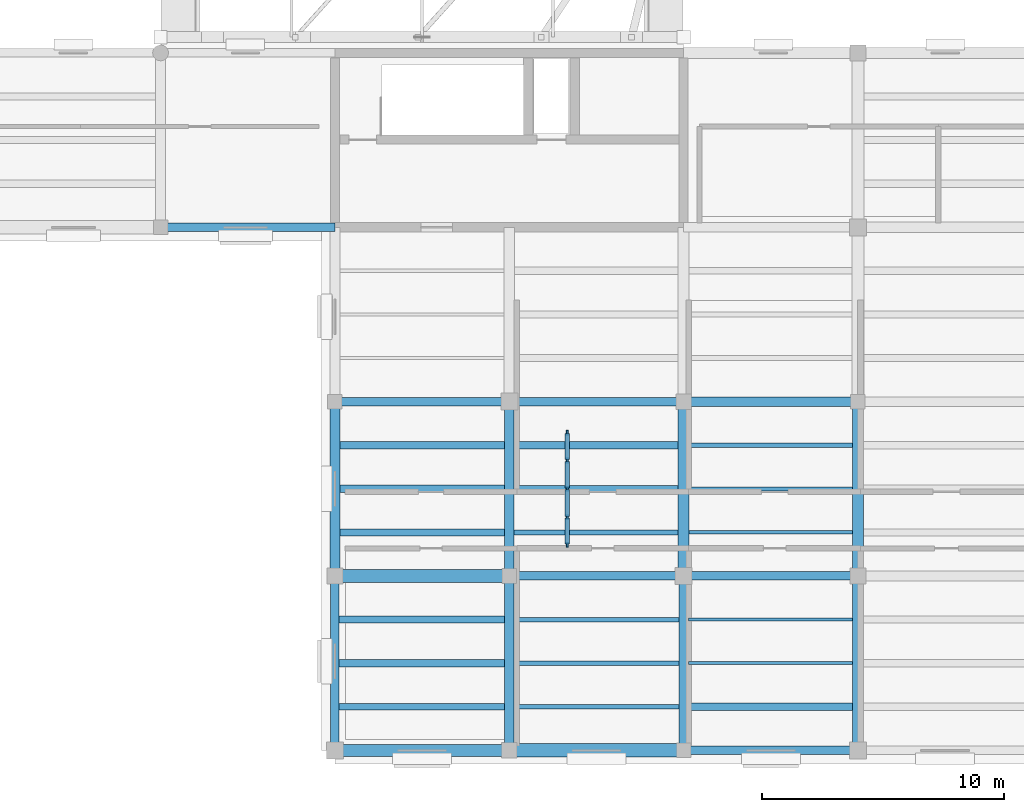
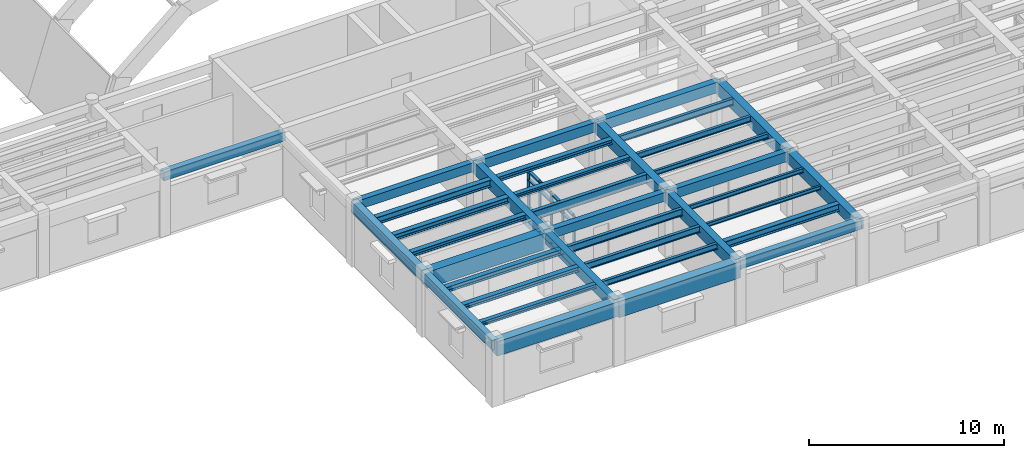
# One storey, part 6 of 66: 36 beams, 21 members, 1 element without a shape of its own.
"""IFC4 building model written with IfcOpenShell, lengths in metres."""

from ifc_helpers import new_model, si_unit, direction, frame, origin, origin_2d, place, context, subcontext, project, spatial, rectangle, i_section, extrude, material, material_profile, profile_set, type_object, element, aggregate, save


model = new_model("IFC4")

# Units and contexts
model_context = context("Model", 3, precision=1e-05, world=origin(), true_north=direction((0.0, 1.0)))
body_context = subcontext(model_context, "Body", "Model", "MODEL_VIEW")
ifc_project = project(units=[si_unit("LENGTHUNIT", "METRE"), si_unit("AREAUNIT", "SQUARE_METRE"), si_unit("VOLUMEUNIT", "CUBIC_METRE"), si_unit("PLANEANGLEUNIT", "RADIAN"), si_unit("MASSUNIT", "GRAM", prefix="KILO")], contexts=[model_context])

# Site, building, storey
site_placement = place(None, origin())
site = spatial("IfcSite", under=ifc_project, at=site_placement, CompositionType="ELEMENT")
building_placement = place(site_placement, origin())
building = spatial("IfcBuilding", under=site, at=building_placement, Name="Mithqara Police Headquarters", CompositionType="ELEMENT")
storey_placement = place(building_placement, frame((0.0, 0.0, 9.60009765625)))
storey = spatial("IfcBuildingStorey", under=building, at=storey_placement, Name="L02", CompositionType="ELEMENT", Elevation=9.60009765625)

# Beams
ifc_material_1 = material(Name="Steel S355JR", Category="steel")
ifc_material_profile_1 = material_profile(ifc_material_1, i_section(OverallWidth=0.300048828125, OverallDepth=0.300048828125, WebThickness=0.010986328125, FlangeThickness=0.01904296875, FilletRadius=0.027099609375, at=origin_2d()), Name="HEB 300")
ifc_profile_set_1 = profile_set([ifc_material_profile_1], Name="Steel S355JR")
beam_type_1 = type_object("IfcBeamType", Name="BEAM HEB300", PredefinedType="BEAM", material=ifc_profile_set_1)
beam_1_placement = place(storey_placement, frame((80.0, 15.60009765625, 3.789794921875), z_axis=(1.0, 0.0, 0.0), x_axis=(0.0, 1.0, 0.0)))
element("IfcBeam", 1, at=beam_1_placement, inside=storey, type_object=beam_type_1, Name="L02 Composite Steel Joist 12-13/C.1", PredefinedType="BEAM", context=body_context, shape_type="SweptSolid", body=[
    extrude(i_section(OverallWidth=0.300048828125, OverallDepth=0.300048828125, WebThickness=0.010986328125, FlangeThickness=0.01904296875, FilletRadius=0.027099609375, at=origin_2d()), origin(), (0.0, 0.0, 1.0), 6.800048828125),
])
ifc_material_profile_2 = material_profile(ifc_material_1, i_section(OverallWidth=0.300048828125, OverallDepth=0.360107421875, WebThickness=0.012451171875, FlangeThickness=0.0224609375, FilletRadius=0.027099609375, at=origin_2d()), Name="HEB 360")
ifc_profile_set_2 = profile_set([ifc_material_profile_2], Name="Steel S355JR")
beam_type_2 = type_object("IfcBeamType", Name="BEAM HEB360", PredefinedType="BEAM", material=ifc_profile_set_2)
beam_2_placement = place(storey_placement, frame((80.0, 17.39990234375, 3.760009765625), z_axis=(1.0, 0.0, 0.0), x_axis=(0.0, 1.0, 0.0)))
element("IfcBeam", 2, at=beam_2_placement, inside=storey, type_object=beam_type_2, Name="L02 Composite Steel Joist 12-13/C.2", PredefinedType="BEAM", context=body_context, shape_type="SweptSolid", body=[
    extrude(i_section(OverallWidth=0.300048828125, OverallDepth=0.360107421875, WebThickness=0.012451171875, FlangeThickness=0.0224609375, FilletRadius=0.027099609375, at=origin_2d()), origin(), (0.0, 0.0, 1.0), 6.800048828125),
])
ifc_material_profile_3 = material_profile(ifc_material_1, i_section(OverallWidth=0.300048828125, OverallDepth=0.449951171875, WebThickness=0.013916015625, FlangeThickness=0.02587890625, FilletRadius=0.027099609375, at=origin_2d()), Name="HEB 450")
ifc_profile_set_3 = profile_set([ifc_material_profile_3], Name="Steel S355JR")
beam_type_3 = type_object("IfcBeamType", Name="BEAM HEB450", PredefinedType="BEAM", material=ifc_profile_set_3)
beam_3_placement = place(storey_placement, frame((80.0, 19.199951171875, 3.71484375), z_axis=(1.0, 0.0, 0.0), x_axis=(0.0, 1.0, 0.0)))
element("IfcBeam", 3, at=beam_3_placement, inside=storey, type_object=beam_type_3, Name="L02 Composite Steel Joist 12-13/C.3", PredefinedType="BEAM", context=body_context, shape_type="SweptSolid", body=[
    extrude(i_section(OverallWidth=0.300048828125, OverallDepth=0.449951171875, WebThickness=0.013916015625, FlangeThickness=0.02587890625, FilletRadius=0.027099609375, at=origin_2d()), origin(), (0.0, 0.0, 1.0), 6.800048828125),
])
beam_4_placement = place(storey_placement, frame((94.39990234375, 8.39990234375, 3.71484375), z_axis=(1.0, 0.0, 0.0), x_axis=(0.0, 1.0, 0.0)))
element("IfcBeam", 4, at=beam_4_placement, inside=storey, type_object=beam_type_3, Name="L02 Composite Steel Joist 14-15/B.1", PredefinedType="BEAM", context=body_context, shape_type="SweptSolid", body=[
    extrude(i_section(OverallWidth=0.300048828125, OverallDepth=0.449951171875, WebThickness=0.013916015625, FlangeThickness=0.02587890625, FilletRadius=0.027099609375, at=origin_2d()), origin(), (0.0, 0.0, 1.0), 6.775146484375),
])
ifc_material_2 = material(Name="Concrete C40/50", Category="concrete")
ifc_material_profile_4 = material_profile(ifc_material_2, rectangle(XDim=0.35009765625, YDim=0.550048828125, at=origin_2d()), Name="RC 350x550")
ifc_profile_set_4 = profile_set([ifc_material_profile_4], Name="Concrete C40/50")
beam_type_4 = type_object("IfcBeamType", Name="BEAM RC350X550", PredefinedType="BEAM", material=ifc_profile_set_4)
for number, where, z_axis, x_axis, name in (
    (5, (72.60009765625, 28.199951171875, 3.664794921875), (1.0, 0.0, 0.0), (0.0, 1.0, 0.0), "L02 Girder 11-12/E"),
    (6, (79.800048828125, 21.0, 3.664794921875), (1.0, 0.0, 0.0), (0.0, 1.0, 0.0), "L02 Girder 12-13/D"),
    (7, (87.0, 13.800048828125, 3.664794921875), (1.0, 0.0, 0.0), (0.0, 1.0, 0.0), "L02 Girder 13-14/C"),
    (8, (94.199951171875, 6.60009765625, 3.664794921875), (1.0, 0.0, 0.0), (0.0, 1.0, 0.0), "L02 Girder 14-15/B"),
):
    element("IfcBeam", number, at=place(storey_placement, frame(where, z_axis=z_axis, x_axis=x_axis)), inside=storey, type_object=beam_type_4, Name=name, PredefinedType="BEAM", context=body_context, shape_type="SweptSolid", body=[
        extrude(rectangle(XDim=0.35009765625, YDim=0.550048828125, at=origin_2d()), origin(), (0.0, 0.0, 1.0), 7.199951171875),
    ])
ifc_material_profile_5 = material_profile(ifc_material_2, rectangle(XDim=0.35009765625, YDim=0.60009765625, at=origin_2d()), Name="RC 350x600")
ifc_profile_set_5 = profile_set([ifc_material_profile_5], Name="Concrete C40/50")
beam_type_5 = type_object("IfcBeamType", Name="BEAM RC350X600", PredefinedType="BEAM", material=ifc_profile_set_5)
for number, where, z_axis, x_axis, name in (
    (9, (79.800048828125, 6.60009765625, 3.639892578125), (0.0, 1.0, 0.0), (-1.0, 0.0, 0.0), "L02 Girder 12/B-C"),
    (10, (87.0, 21.0, 3.639892578125), (1.0, 0.0, 0.0), (0.0, 1.0, 0.0), "L02 Girder 13-14/D"),
    (11, (94.199951171875, 13.800048828125, 3.639892578125), (1.0, 0.0, 0.0), (0.0, 1.0, 0.0), "L02 Girder 14-15/C"),
):
    element("IfcBeam", number, at=place(storey_placement, frame(where, z_axis=z_axis, x_axis=x_axis)), inside=storey, type_object=beam_type_5, Name=name, PredefinedType="BEAM", context=body_context, shape_type="SweptSolid", body=[
        extrude(rectangle(XDim=0.35009765625, YDim=0.60009765625, at=origin_2d()), origin(), (0.0, 0.0, 1.0), 7.199951171875),
    ])
ifc_material_profile_6 = material_profile(ifc_material_2, rectangle(XDim=0.39990234375, YDim=0.64990234375, at=origin_2d()), Name="RC 400x650")
ifc_profile_set_6 = profile_set([ifc_material_profile_6], Name="Concrete C40/50")
beam_type_6 = type_object("IfcBeamType", Name="BEAM RC400X650", PredefinedType="BEAM", material=ifc_profile_set_6)
for number, where, z_axis, x_axis, name in (
    (12, (79.800048828125, 13.800048828125, 3.614990234375), (0.0, 1.0, 0.0), (-1.0, 0.0, 0.0), "L02 Girder 12/C-D"),
    (13, (87.0, 6.60009765625, 3.614990234375), (0.0, 1.0, 0.0), (-1.0, 0.0, 0.0), "L02 Girder 13/B-C"),
    (14, (94.199951171875, 21.0, 3.614990234375), (1.0, 0.0, 0.0), (0.0, 1.0, 0.0), "L02 Girder 14-15/D"),
):
    element("IfcBeam", number, at=place(storey_placement, frame(where, z_axis=z_axis, x_axis=x_axis)), inside=storey, type_object=beam_type_6, Name=name, PredefinedType="BEAM", context=body_context, shape_type="SweptSolid", body=[
        extrude(rectangle(XDim=0.39990234375, YDim=0.64990234375, at=origin_2d()), origin(), (0.0, 0.0, 1.0), 7.199951171875),
    ])
ifc_material_profile_7 = material_profile(ifc_material_2, rectangle(XDim=0.39990234375, YDim=0.75, at=origin_2d()), Name="RC 400x750")
ifc_profile_set_7 = profile_set([ifc_material_profile_7], Name="Concrete C40/50")
beam_type_7 = type_object("IfcBeamType", Name="BEAM RC400X750", PredefinedType="BEAM", material=ifc_profile_set_7)
for number, where, z_axis, x_axis, name in (
    (15, (87.0, 13.800048828125, 3.56494140625), (0.0, 1.0, 0.0), (-1.0, 0.0, 0.0), "L02 Girder 13/C-D"),
    (16, (94.199951171875, 6.60009765625, 3.56494140625), (0.0, 1.0, 0.0), (-1.0, 0.0, 0.0), "L02 Girder 14/B-C"),
):
    element("IfcBeam", number, at=place(storey_placement, frame(where, z_axis=z_axis, x_axis=x_axis)), inside=storey, type_object=beam_type_7, Name=name, PredefinedType="BEAM", context=body_context, shape_type="SweptSolid", body=[
        extrude(rectangle(XDim=0.39990234375, YDim=0.75, at=origin_2d()), origin(), (0.0, 0.0, 1.0), 7.199951171875),
    ])
ifc_material_profile_8 = material_profile(ifc_material_2, rectangle(XDim=0.449951171875, YDim=0.699951171875, at=origin_2d()), Name="RC 450x700")
ifc_profile_set_8 = profile_set([ifc_material_profile_8], Name="Concrete C40/50")
beam_type_8 = type_object("IfcBeamType", Name="BEAM RC450X700", PredefinedType="BEAM", material=ifc_profile_set_8)
for number, where, z_axis, x_axis, name in (
    (17, (94.199951171875, 13.800048828125, 3.58984375), (0.0, 1.0, 0.0), (-1.0, 0.0, 0.0), "L02 Girder 14/C-D"),
    (18, (101.39990234375, 6.60009765625, 3.58984375), (0.0, 1.0, 0.0), (-1.0, 0.0, 0.0), "L02 Girder 15/B-C"),
):
    element("IfcBeam", number, at=place(storey_placement, frame(where, z_axis=z_axis, x_axis=x_axis)), inside=storey, type_object=beam_type_8, Name=name, PredefinedType="BEAM", context=body_context, shape_type="SweptSolid", body=[
        extrude(rectangle(XDim=0.449951171875, YDim=0.699951171875, at=origin_2d()), origin(), (0.0, 0.0, 1.0), 7.199951171875),
    ])
ifc_material_profile_9 = material_profile(ifc_material_2, rectangle(XDim=0.449951171875, YDim=0.800048828125, at=origin_2d()), Name="RC 450x800")
ifc_profile_set_9 = profile_set([ifc_material_profile_9], Name="Concrete C40/50")
beam_type_9 = type_object("IfcBeamType", Name="BEAM RC450X800", PredefinedType="BEAM", material=ifc_profile_set_9)
beam_5_placement = place(storey_placement, frame((101.39990234375, 13.800048828125, 3.539794921875), z_axis=(0.0, 1.0, 0.0), x_axis=(-1.0, 0.0, 0.0)))
element("IfcBeam", 19, at=beam_5_placement, inside=storey, type_object=beam_type_9, Name="L02 Girder 15/C-D", PredefinedType="BEAM", context=body_context, shape_type="SweptSolid", body=[
    extrude(rectangle(XDim=0.449951171875, YDim=0.800048828125, at=origin_2d()), origin(), (0.0, 0.0, 1.0), 7.199951171875),
])
ifc_material_3 = material(Name="Concrete C50/60", Category="concrete")
ifc_material_profile_10 = material_profile(ifc_material_3, rectangle(XDim=0.5, YDim=0.89990234375, at=origin_2d()), Name="RC 500x900")
ifc_profile_set_10 = profile_set([ifc_material_profile_10], Name="Concrete C50/60")
beam_type_10 = type_object("IfcBeamType", Name="BEAM RC500X900", PredefinedType="BEAM", material=ifc_profile_set_10)
beam_6_placement = place(storey_placement, frame((79.800048828125, 6.60009765625, 3.489990234375), z_axis=(1.0, 0.0, 0.0), x_axis=(0.0, 1.0, 0.0)))
element("IfcBeam", 20, at=beam_6_placement, inside=storey, type_object=beam_type_10, Name="L02 Girder 12-13/B", PredefinedType="BEAM", context=body_context, shape_type="SweptSolid", body=[
    extrude(rectangle(XDim=0.5, YDim=0.89990234375, at=origin_2d()), origin(), (0.0, 0.0, 1.0), 7.199951171875),
])
ifc_material_profile_11 = material_profile(ifc_material_3, rectangle(XDim=0.550048828125, YDim=1.0, at=origin_2d()), Name="RC 550x1000")
ifc_profile_set_11 = profile_set([ifc_material_profile_11], Name="Concrete C50/60")
beam_type_11 = type_object("IfcBeamType", Name="BEAM RC550X1000", PredefinedType="BEAM", material=ifc_profile_set_11)
for number, where, z_axis, x_axis, name in (
    (21, (79.800048828125, 13.800048828125, 3.43994140625), (1.0, 0.0, 0.0), (0.0, 1.0, 0.0), "L02 Girder 12-13/C"),
    (22, (87.0, 6.60009765625, 3.43994140625), (1.0, 0.0, 0.0), (0.0, 1.0, 0.0), "L02 Girder 13-14/B"),
):
    element("IfcBeam", number, at=place(storey_placement, frame(where, z_axis=z_axis, x_axis=x_axis)), inside=storey, type_object=beam_type_11, Name=name, PredefinedType="BEAM", context=body_context, shape_type="SweptSolid", body=[
        extrude(rectangle(XDim=0.550048828125, YDim=1.0, at=origin_2d()), origin(), (0.0, 0.0, 1.0), 7.199951171875),
    ])

# Curtain wall, members
ifc_material_4 = material(Name="Bronze anodised aluminium 6063-T6", Category="aluminium")
curtain_wall_type = type_object("IfcCurtainWallType", Name="CURTAIN WALL 4700X3220", PredefinedType="USERDEFINED", material=ifc_material_4)
curtain_wall_placement = place(storey_placement, origin())
curtain_wall = element("IfcCurtainWall", 23, at=curtain_wall_placement, inside=storey, type_object=curtain_wall_type, Name="L02 Unitised Glazing CW-16 (CW-INT-L02-X12-Y02-0)", ObjectType="UNITISED GLAZING", PredefinedType="USERDEFINED")
ifc_material_profile_12 = material_profile(ifc_material_4, rectangle(XDim=0.074951171875, YDim=0.219970703125, at=origin_2d()), Name="CWM 75x220")
ifc_profile_set_12 = profile_set([ifc_material_profile_12], Name="Bronze anodised aluminium 6063-T6")
member_type_1 = type_object("IfcMemberType", Name="CWMULLION 75X220", PredefinedType="MULLION", material=ifc_profile_set_12)
member_1_placement = place(storey_placement, frame((89.39990234375, 15.08740234375, 0.0), z_axis=(0.0, 0.0, 1.0), x_axis=(-1.0, 0.0, 0.0)))
member_1 = element("IfcMember", 24, at=member_1_placement, type_object=member_type_1, Name="CW-16 mullion 1", PredefinedType="MULLION", context=body_context, shape_type="SweptSolid", body=[
    extrude(rectangle(XDim=0.074951171875, YDim=0.219970703125, at=origin_2d()), origin(), (0.0, 0.0, 1.0), 3.219970703125),
])
member_2_placement = place(storey_placement, frame((89.39990234375, 16.22509765625, 0.0), z_axis=(0.0, 0.0, 1.0), x_axis=(-1.0, 0.0, 0.0)))
member_2 = element("IfcMember", 25, at=member_2_placement, type_object=member_type_1, Name="CW-16 mullion 2", PredefinedType="MULLION", context=body_context, shape_type="SweptSolid", body=[
    extrude(rectangle(XDim=0.074951171875, YDim=0.219970703125, at=origin_2d()), origin(), (0.0, 0.0, 1.0), 3.219970703125),
])
member_3_placement = place(storey_placement, frame((89.39990234375, 17.39990234375, 0.0), z_axis=(0.0, 0.0, 1.0), x_axis=(-1.0, 0.0, 0.0)))
member_3 = element("IfcMember", 26, at=member_3_placement, type_object=member_type_1, Name="CW-16 mullion 3", PredefinedType="MULLION", context=body_context, shape_type="SweptSolid", body=[
    extrude(rectangle(XDim=0.074951171875, YDim=0.219970703125, at=origin_2d()), origin(), (0.0, 0.0, 1.0), 3.219970703125),
])
member_4_placement = place(storey_placement, frame((89.39990234375, 18.574951171875, 0.0), z_axis=(0.0, 0.0, 1.0), x_axis=(-1.0, 0.0, 0.0)))
member_4 = element("IfcMember", 27, at=member_4_placement, type_object=member_type_1, Name="CW-16 mullion 4", PredefinedType="MULLION", context=body_context, shape_type="SweptSolid", body=[
    extrude(rectangle(XDim=0.074951171875, YDim=0.219970703125, at=origin_2d()), origin(), (0.0, 0.0, 1.0), 3.219970703125),
])
member_5_placement = place(storey_placement, frame((89.39990234375, 19.71240234375, 0.0), z_axis=(0.0, 0.0, 1.0), x_axis=(-1.0, 0.0, 0.0)))
member_5 = element("IfcMember", 28, at=member_5_placement, type_object=member_type_1, Name="CW-16 mullion 5", PredefinedType="MULLION", context=body_context, shape_type="SweptSolid", body=[
    extrude(rectangle(XDim=0.074951171875, YDim=0.219970703125, at=origin_2d()), origin(), (0.0, 0.0, 1.0), 3.219970703125),
])
ifc_material_profile_13 = material_profile(ifc_material_4, rectangle(XDim=0.179931640625, YDim=0.074951171875, at=origin_2d()), Name="CWT 180x75")
ifc_profile_set_13 = profile_set([ifc_material_profile_13], Name="Bronze anodised aluminium 6063-T6")
member_type_2 = type_object("IfcMemberType", Name="CWTRANSOM 180X75", PredefinedType="USERDEFINED", material=ifc_profile_set_13)
member_6_placement = place(storey_placement, frame((89.39990234375, 15.125, 0.037353515625), z_axis=(0.0, 1.0, 0.0), x_axis=(-1.0, 0.0, 0.0)))
member_6 = element("IfcMember", 29, at=member_6_placement, type_object=member_type_2, Name="CW-16 transom 1.1", ObjectType="TRANSOM", PredefinedType="USERDEFINED", context=body_context, shape_type="SweptSolid", body=[
    extrude(rectangle(XDim=0.179931640625, YDim=0.074951171875, at=origin_2d()), origin(), (0.0, 0.0, 1.0), 1.0625),
])
member_7_placement = place(storey_placement, frame((89.39990234375, 15.125, 0.89990234375), z_axis=(0.0, 1.0, 0.0), x_axis=(-1.0, 0.0, 0.0)))
member_7 = element("IfcMember", 30, at=member_7_placement, type_object=member_type_2, Name="CW-16 transom 1.2", ObjectType="TRANSOM", PredefinedType="USERDEFINED", context=body_context, shape_type="SweptSolid", body=[
    extrude(rectangle(XDim=0.179931640625, YDim=0.074951171875, at=origin_2d()), origin(), (0.0, 0.0, 1.0), 1.0625),
])
member_8_placement = place(storey_placement, frame((89.39990234375, 15.125, 2.669921875), z_axis=(0.0, 1.0, 0.0), x_axis=(-1.0, 0.0, 0.0)))
member_8 = element("IfcMember", 31, at=member_8_placement, type_object=member_type_2, Name="CW-16 transom 1.3", ObjectType="TRANSOM", PredefinedType="USERDEFINED", context=body_context, shape_type="SweptSolid", body=[
    extrude(rectangle(XDim=0.179931640625, YDim=0.074951171875, at=origin_2d()), origin(), (0.0, 0.0, 1.0), 1.0625),
])
member_9_placement = place(storey_placement, frame((89.39990234375, 15.125, 3.182373046875), z_axis=(0.0, 1.0, 0.0), x_axis=(-1.0, 0.0, 0.0)))
member_9 = element("IfcMember", 32, at=member_9_placement, type_object=member_type_2, Name="CW-16 transom 1.4", ObjectType="TRANSOM", PredefinedType="USERDEFINED", context=body_context, shape_type="SweptSolid", body=[
    extrude(rectangle(XDim=0.179931640625, YDim=0.074951171875, at=origin_2d()), origin(), (0.0, 0.0, 1.0), 1.0625),
])
member_10_placement = place(storey_placement, frame((89.39990234375, 16.262451171875, 0.037353515625), z_axis=(0.0, 1.0, 0.0), x_axis=(-1.0, 0.0, 0.0)))
member_10 = element("IfcMember", 33, at=member_10_placement, type_object=member_type_2, Name="CW-16 transom 2.1", ObjectType="TRANSOM", PredefinedType="USERDEFINED", context=body_context, shape_type="SweptSolid", body=[
    extrude(rectangle(XDim=0.179931640625, YDim=0.074951171875, at=origin_2d()), origin(), (0.0, 0.0, 1.0), 1.10009765625),
])
member_11_placement = place(storey_placement, frame((89.39990234375, 16.262451171875, 0.89990234375), z_axis=(0.0, 1.0, 0.0), x_axis=(-1.0, 0.0, 0.0)))
member_11 = element("IfcMember", 34, at=member_11_placement, type_object=member_type_2, Name="CW-16 transom 2.2", ObjectType="TRANSOM", PredefinedType="USERDEFINED", context=body_context, shape_type="SweptSolid", body=[
    extrude(rectangle(XDim=0.179931640625, YDim=0.074951171875, at=origin_2d()), origin(), (0.0, 0.0, 1.0), 1.10009765625),
])
member_12_placement = place(storey_placement, frame((89.39990234375, 16.262451171875, 2.669921875), z_axis=(0.0, 1.0, 0.0), x_axis=(-1.0, 0.0, 0.0)))
member_12 = element("IfcMember", 35, at=member_12_placement, type_object=member_type_2, Name="CW-16 transom 2.3", ObjectType="TRANSOM", PredefinedType="USERDEFINED", context=body_context, shape_type="SweptSolid", body=[
    extrude(rectangle(XDim=0.179931640625, YDim=0.074951171875, at=origin_2d()), origin(), (0.0, 0.0, 1.0), 1.10009765625),
])
member_13_placement = place(storey_placement, frame((89.39990234375, 16.262451171875, 3.182373046875), z_axis=(0.0, 1.0, 0.0), x_axis=(-1.0, 0.0, 0.0)))
member_13 = element("IfcMember", 36, at=member_13_placement, type_object=member_type_2, Name="CW-16 transom 2.4", ObjectType="TRANSOM", PredefinedType="USERDEFINED", context=body_context, shape_type="SweptSolid", body=[
    extrude(rectangle(XDim=0.179931640625, YDim=0.074951171875, at=origin_2d()), origin(), (0.0, 0.0, 1.0), 1.10009765625),
])
member_14_placement = place(storey_placement, frame((89.39990234375, 17.4375, 0.037353515625), z_axis=(0.0, 1.0, 0.0), x_axis=(-1.0, 0.0, 0.0)))
member_14 = element("IfcMember", 37, at=member_14_placement, type_object=member_type_2, Name="CW-16 transom 3.1", ObjectType="TRANSOM", PredefinedType="USERDEFINED", context=body_context, shape_type="SweptSolid", body=[
    extrude(rectangle(XDim=0.179931640625, YDim=0.074951171875, at=origin_2d()), origin(), (0.0, 0.0, 1.0), 1.10009765625),
])
member_15_placement = place(storey_placement, frame((89.39990234375, 17.4375, 0.89990234375), z_axis=(0.0, 1.0, 0.0), x_axis=(-1.0, 0.0, 0.0)))
member_15 = element("IfcMember", 38, at=member_15_placement, type_object=member_type_2, Name="CW-16 transom 3.2", ObjectType="TRANSOM", PredefinedType="USERDEFINED", context=body_context, shape_type="SweptSolid", body=[
    extrude(rectangle(XDim=0.179931640625, YDim=0.074951171875, at=origin_2d()), origin(), (0.0, 0.0, 1.0), 1.10009765625),
])
member_16_placement = place(storey_placement, frame((89.39990234375, 17.4375, 2.669921875), z_axis=(0.0, 1.0, 0.0), x_axis=(-1.0, 0.0, 0.0)))
member_16 = element("IfcMember", 39, at=member_16_placement, type_object=member_type_2, Name="CW-16 transom 3.3", ObjectType="TRANSOM", PredefinedType="USERDEFINED", context=body_context, shape_type="SweptSolid", body=[
    extrude(rectangle(XDim=0.179931640625, YDim=0.074951171875, at=origin_2d()), origin(), (0.0, 0.0, 1.0), 1.10009765625),
])
member_17_placement = place(storey_placement, frame((89.39990234375, 17.4375, 3.182373046875), z_axis=(0.0, 1.0, 0.0), x_axis=(-1.0, 0.0, 0.0)))
member_17 = element("IfcMember", 40, at=member_17_placement, type_object=member_type_2, Name="CW-16 transom 3.4", ObjectType="TRANSOM", PredefinedType="USERDEFINED", context=body_context, shape_type="SweptSolid", body=[
    extrude(rectangle(XDim=0.179931640625, YDim=0.074951171875, at=origin_2d()), origin(), (0.0, 0.0, 1.0), 1.10009765625),
])
member_18_placement = place(storey_placement, frame((89.39990234375, 18.612548828125, 0.037353515625), z_axis=(0.0, 1.0, 0.0), x_axis=(-1.0, 0.0, 0.0)))
member_18 = element("IfcMember", 41, at=member_18_placement, type_object=member_type_2, Name="CW-16 transom 4.1", ObjectType="TRANSOM", PredefinedType="USERDEFINED", context=body_context, shape_type="SweptSolid", body=[
    extrude(rectangle(XDim=0.179931640625, YDim=0.074951171875, at=origin_2d()), origin(), (0.0, 0.0, 1.0), 1.0625),
])
member_19_placement = place(storey_placement, frame((89.39990234375, 18.612548828125, 0.89990234375), z_axis=(0.0, 1.0, 0.0), x_axis=(-1.0, 0.0, 0.0)))
member_19 = element("IfcMember", 42, at=member_19_placement, type_object=member_type_2, Name="CW-16 transom 4.2", ObjectType="TRANSOM", PredefinedType="USERDEFINED", context=body_context, shape_type="SweptSolid", body=[
    extrude(rectangle(XDim=0.179931640625, YDim=0.074951171875, at=origin_2d()), origin(), (0.0, 0.0, 1.0), 1.0625),
])
member_20_placement = place(storey_placement, frame((89.39990234375, 18.612548828125, 2.669921875), z_axis=(0.0, 1.0, 0.0), x_axis=(-1.0, 0.0, 0.0)))
member_20 = element("IfcMember", 43, at=member_20_placement, type_object=member_type_2, Name="CW-16 transom 4.3", ObjectType="TRANSOM", PredefinedType="USERDEFINED", context=body_context, shape_type="SweptSolid", body=[
    extrude(rectangle(XDim=0.179931640625, YDim=0.074951171875, at=origin_2d()), origin(), (0.0, 0.0, 1.0), 1.0625),
])
member_21_placement = place(storey_placement, frame((89.39990234375, 18.612548828125, 3.182373046875), z_axis=(0.0, 1.0, 0.0), x_axis=(-1.0, 0.0, 0.0)))
member_21 = element("IfcMember", 44, at=member_21_placement, type_object=member_type_2, Name="CW-16 transom 4.4", ObjectType="TRANSOM", PredefinedType="USERDEFINED", context=body_context, shape_type="SweptSolid", body=[
    extrude(rectangle(XDim=0.179931640625, YDim=0.074951171875, at=origin_2d()), origin(), (0.0, 0.0, 1.0), 1.0625),
])
aggregate(curtain_wall, [member_1, member_2, member_3, member_4, member_5, member_6, member_7, member_8, member_9, member_10, member_11, member_12, member_13, member_14, member_15, member_16, member_17, member_18, member_19, member_20, member_21])

# Beams
ifc_material_profile_14 = material_profile(ifc_material_1, i_section(OverallWidth=0.260009765625, OverallDepth=0.25, WebThickness=0.007568359375, FlangeThickness=0.012451171875, FilletRadius=0.02392578125, at=origin_2d()), Name="HEA 260")
ifc_profile_set_14 = profile_set([ifc_material_profile_14], Name="Steel S355JR")
beam_type_12 = type_object("IfcBeamType", Name="JOIST HEA260", PredefinedType="JOIST", material=ifc_profile_set_14)
beam_7_placement = place(storey_placement, frame((79.97509765625, 8.39990234375, 3.81494140625), z_axis=(1.0, 0.0, 0.0), x_axis=(0.0, 1.0, 0.0)))
element("IfcBeam", 45, at=beam_7_placement, inside=storey, type_object=beam_type_12, Name="L02 Composite Steel Joist 12-13/B.1", PredefinedType="JOIST", context=body_context, shape_type="SweptSolid", body=[
    extrude(i_section(OverallWidth=0.260009765625, OverallDepth=0.25, WebThickness=0.007568359375, FlangeThickness=0.012451171875, FilletRadius=0.02392578125, at=origin_2d()), origin(), (0.0, 0.0, 1.0), 6.824951171875),
])
beam_8_placement = place(storey_placement, frame((87.199951171875, 17.39990234375, 3.81494140625), z_axis=(1.0, 0.0, 0.0), x_axis=(0.0, 1.0, 0.0)))
element("IfcBeam", 46, at=beam_8_placement, inside=storey, type_object=beam_type_12, Name="L02 Composite Steel Joist 13-14/C.2", PredefinedType="JOIST", context=body_context, shape_type="SweptSolid", body=[
    extrude(i_section(OverallWidth=0.260009765625, OverallDepth=0.25, WebThickness=0.007568359375, FlangeThickness=0.012451171875, FilletRadius=0.02392578125, at=origin_2d()), origin(), (0.0, 0.0, 1.0), 6.775146484375),
])
ifc_material_profile_15 = material_profile(ifc_material_1, i_section(OverallWidth=0.300048828125, OverallDepth=0.2900390625, WebThickness=0.008544921875, FlangeThickness=0.013916015625, FilletRadius=0.027099609375, at=origin_2d()), Name="HEA 300")
ifc_profile_set_15 = profile_set([ifc_material_profile_15], Name="Steel S355JR")
beam_type_13 = type_object("IfcBeamType", Name="JOIST HEA300", PredefinedType="JOIST", material=ifc_profile_set_15)
beam_9_placement = place(storey_placement, frame((79.97509765625, 10.199951171875, 3.794921875), z_axis=(1.0, 0.0, 0.0), x_axis=(0.0, 1.0, 0.0)))
element("IfcBeam", 47, at=beam_9_placement, inside=storey, type_object=beam_type_13, Name="L02 Composite Steel Joist 12-13/B.2", PredefinedType="JOIST", context=body_context, shape_type="SweptSolid", body=[
    extrude(i_section(OverallWidth=0.300048828125, OverallDepth=0.2900390625, WebThickness=0.008544921875, FlangeThickness=0.013916015625, FilletRadius=0.027099609375, at=origin_2d()), origin(), (0.0, 0.0, 1.0), 6.824951171875),
])
beam_10_placement = place(storey_placement, frame((87.199951171875, 19.199951171875, 3.794921875), z_axis=(1.0, 0.0, 0.0), x_axis=(0.0, 1.0, 0.0)))
element("IfcBeam", 48, at=beam_10_placement, inside=storey, type_object=beam_type_13, Name="L02 Composite Steel Joist 13-14/C.3", PredefinedType="JOIST", context=body_context, shape_type="SweptSolid", body=[
    extrude(i_section(OverallWidth=0.300048828125, OverallDepth=0.2900390625, WebThickness=0.008544921875, FlangeThickness=0.013916015625, FilletRadius=0.027099609375, at=origin_2d()), origin(), (0.0, 0.0, 1.0), 6.775146484375),
])
ifc_material_profile_16 = material_profile(ifc_material_1, i_section(OverallWidth=0.300048828125, OverallDepth=0.330078125, WebThickness=0.009521484375, FlangeThickness=0.0166015625, FilletRadius=0.027099609375, at=origin_2d()), Name="HEA 340")
ifc_profile_set_16 = profile_set([ifc_material_profile_16], Name="Steel S355JR")
beam_type_14 = type_object("IfcBeamType", Name="JOIST HEA340", PredefinedType="JOIST", material=ifc_profile_set_16)
beam_11_placement = place(storey_placement, frame((79.97509765625, 12.0, 3.77490234375), z_axis=(1.0, 0.0, 0.0), x_axis=(0.0, 1.0, 0.0)))
element("IfcBeam", 49, at=beam_11_placement, inside=storey, type_object=beam_type_14, Name="L02 Composite Steel Joist 12-13/B.3", PredefinedType="JOIST", context=body_context, shape_type="SweptSolid", body=[
    extrude(i_section(OverallWidth=0.300048828125, OverallDepth=0.330078125, WebThickness=0.009521484375, FlangeThickness=0.0166015625, FilletRadius=0.027099609375, at=origin_2d()), origin(), (0.0, 0.0, 1.0), 6.824951171875),
])
ifc_material_profile_17 = material_profile(ifc_material_1, i_section(OverallWidth=0.1201171875, OverallDepth=0.239990234375, WebThickness=0.006103515625, FlangeThickness=0.009765625, FilletRadius=0.014892578125, at=origin_2d()), Name="IPE 240")
ifc_profile_set_17 = profile_set([ifc_material_profile_17], Name="Steel S355JR")
beam_type_15 = type_object("IfcBeamType", Name="JOIST IPE240", PredefinedType="JOIST", material=ifc_profile_set_17)
beam_12_placement = place(storey_placement, frame((94.39990234375, 10.199951171875, 3.81982421875), z_axis=(1.0, 0.0, 0.0), x_axis=(0.0, 1.0, 0.0)))
element("IfcBeam", 50, at=beam_12_placement, inside=storey, type_object=beam_type_15, Name="L02 Composite Steel Joist 14-15/B.2", PredefinedType="JOIST", context=body_context, shape_type="SweptSolid", body=[
    extrude(i_section(OverallWidth=0.1201171875, OverallDepth=0.239990234375, WebThickness=0.006103515625, FlangeThickness=0.009765625, FilletRadius=0.014892578125, at=origin_2d()), origin(), (0.0, 0.0, 1.0), 6.775146484375),
])
ifc_material_profile_18 = material_profile(ifc_material_1, i_section(OverallWidth=0.135009765625, OverallDepth=0.27001953125, WebThickness=0.006591796875, FlangeThickness=0.01025390625, FilletRadius=0.014892578125, at=origin_2d()), Name="IPE 270")
ifc_profile_set_18 = profile_set([ifc_material_profile_18], Name="Steel S355JR")
beam_type_16 = type_object("IfcBeamType", Name="JOIST IPE270", PredefinedType="JOIST", material=ifc_profile_set_18)
beam_13_placement = place(storey_placement, frame((94.39990234375, 12.0, 3.804931640625), z_axis=(1.0, 0.0, 0.0), x_axis=(0.0, 1.0, 0.0)))
element("IfcBeam", 51, at=beam_13_placement, inside=storey, type_object=beam_type_16, Name="L02 Composite Steel Joist 14-15/B.3", PredefinedType="JOIST", context=body_context, shape_type="SweptSolid", body=[
    extrude(i_section(OverallWidth=0.135009765625, OverallDepth=0.27001953125, WebThickness=0.006591796875, FlangeThickness=0.01025390625, FilletRadius=0.014892578125, at=origin_2d()), origin(), (0.0, 0.0, 1.0), 6.775146484375),
])
ifc_material_profile_19 = material_profile(ifc_material_1, i_section(OverallWidth=0.14990234375, OverallDepth=0.300048828125, WebThickness=0.007080078125, FlangeThickness=0.0107421875, FilletRadius=0.014892578125, at=origin_2d()), Name="IPE 300")
ifc_profile_set_19 = profile_set([ifc_material_profile_19], Name="Steel S355JR")
beam_type_17 = type_object("IfcBeamType", Name="JOIST IPE300", PredefinedType="JOIST", material=ifc_profile_set_19)
beam_14_placement = place(storey_placement, frame((94.425048828125, 15.60009765625, 3.789794921875), z_axis=(1.0, 0.0, 0.0), x_axis=(0.0, 1.0, 0.0)))
element("IfcBeam", 52, at=beam_14_placement, inside=storey, type_object=beam_type_17, Name="L02 Composite Steel Joist 14-15/C.1", PredefinedType="JOIST", context=body_context, shape_type="SweptSolid", body=[
    extrude(i_section(OverallWidth=0.14990234375, OverallDepth=0.300048828125, WebThickness=0.007080078125, FlangeThickness=0.0107421875, FilletRadius=0.014892578125, at=origin_2d()), origin(), (0.0, 0.0, 1.0), 6.75),
])
ifc_material_profile_20 = material_profile(ifc_material_1, i_section(OverallWidth=0.169921875, OverallDepth=0.360107421875, WebThickness=0.008056640625, FlangeThickness=0.0126953125, FilletRadius=0.01806640625, at=origin_2d()), Name="IPE 360")
ifc_profile_set_20 = profile_set([ifc_material_profile_20], Name="Steel S355JR")
beam_type_18 = type_object("IfcBeamType", Name="JOIST IPE360", PredefinedType="JOIST", material=ifc_profile_set_20)
beam_15_placement = place(storey_placement, frame((87.199951171875, 8.39990234375, 3.760009765625), z_axis=(1.0, 0.0, 0.0), x_axis=(0.0, 1.0, 0.0)))
element("IfcBeam", 53, at=beam_15_placement, inside=storey, type_object=beam_type_18, Name="L02 Composite Steel Joist 13-14/B.1", PredefinedType="JOIST", context=body_context, shape_type="SweptSolid", body=[
    extrude(i_section(OverallWidth=0.169921875, OverallDepth=0.360107421875, WebThickness=0.008056640625, FlangeThickness=0.0126953125, FilletRadius=0.01806640625, at=origin_2d()), origin(), (0.0, 0.0, 1.0), 6.800048828125),
])
beam_16_placement = place(storey_placement, frame((94.425048828125, 17.39990234375, 3.760009765625), z_axis=(1.0, 0.0, 0.0), x_axis=(0.0, 1.0, 0.0)))
element("IfcBeam", 54, at=beam_16_placement, inside=storey, type_object=beam_type_18, Name="L02 Composite Steel Joist 14-15/C.2", PredefinedType="JOIST", context=body_context, shape_type="SweptSolid", body=[
    extrude(i_section(OverallWidth=0.169921875, OverallDepth=0.360107421875, WebThickness=0.008056640625, FlangeThickness=0.0126953125, FilletRadius=0.01806640625, at=origin_2d()), origin(), (0.0, 0.0, 1.0), 6.75),
])
ifc_material_profile_21 = material_profile(ifc_material_1, i_section(OverallWidth=0.179931640625, OverallDepth=0.39990234375, WebThickness=0.008544921875, FlangeThickness=0.013427734375, FilletRadius=0.02099609375, at=origin_2d()), Name="IPE 400")
ifc_profile_set_21 = profile_set([ifc_material_profile_21], Name="Steel S355JR")
beam_type_19 = type_object("IfcBeamType", Name="JOIST IPE400", PredefinedType="JOIST", material=ifc_profile_set_21)
beam_17_placement = place(storey_placement, frame((87.199951171875, 10.199951171875, 3.739990234375), z_axis=(1.0, 0.0, 0.0), x_axis=(0.0, 1.0, 0.0)))
element("IfcBeam", 55, at=beam_17_placement, inside=storey, type_object=beam_type_19, Name="L02 Composite Steel Joist 13-14/B.2", PredefinedType="JOIST", context=body_context, shape_type="SweptSolid", body=[
    extrude(i_section(OverallWidth=0.179931640625, OverallDepth=0.39990234375, WebThickness=0.008544921875, FlangeThickness=0.013427734375, FilletRadius=0.02099609375, at=origin_2d()), origin(), (0.0, 0.0, 1.0), 6.800048828125),
])
beam_18_placement = place(storey_placement, frame((94.425048828125, 19.199951171875, 3.739990234375), z_axis=(1.0, 0.0, 0.0), x_axis=(0.0, 1.0, 0.0)))
element("IfcBeam", 56, at=beam_18_placement, inside=storey, type_object=beam_type_19, Name="L02 Composite Steel Joist 14-15/C.3", PredefinedType="JOIST", context=body_context, shape_type="SweptSolid", body=[
    extrude(i_section(OverallWidth=0.179931640625, OverallDepth=0.39990234375, WebThickness=0.008544921875, FlangeThickness=0.013427734375, FilletRadius=0.02099609375, at=origin_2d()), origin(), (0.0, 0.0, 1.0), 6.75),
])
ifc_material_profile_22 = material_profile(ifc_material_1, i_section(OverallWidth=0.18994140625, OverallDepth=0.449951171875, WebThickness=0.009521484375, FlangeThickness=0.0146484375, FilletRadius=0.02099609375, at=origin_2d()), Name="IPE 450")
ifc_profile_set_22 = profile_set([ifc_material_profile_22], Name="Steel S355JR")
beam_type_20 = type_object("IfcBeamType", Name="JOIST IPE450", PredefinedType="JOIST", material=ifc_profile_set_22)
beam_19_placement = place(storey_placement, frame((87.199951171875, 12.0, 3.71484375), z_axis=(1.0, 0.0, 0.0), x_axis=(0.0, 1.0, 0.0)))
element("IfcBeam", 57, at=beam_19_placement, inside=storey, type_object=beam_type_20, Name="L02 Composite Steel Joist 13-14/B.3", PredefinedType="JOIST", context=body_context, shape_type="SweptSolid", body=[
    extrude(i_section(OverallWidth=0.18994140625, OverallDepth=0.449951171875, WebThickness=0.009521484375, FlangeThickness=0.0146484375, FilletRadius=0.02099609375, at=origin_2d()), origin(), (0.0, 0.0, 1.0), 6.800048828125),
])
ifc_material_profile_23 = material_profile(ifc_material_1, i_section(OverallWidth=0.2099609375, OverallDepth=0.550048828125, WebThickness=0.010986328125, FlangeThickness=0.01708984375, FilletRadius=0.02392578125, at=origin_2d()), Name="IPE 550")
ifc_profile_set_23 = profile_set([ifc_material_profile_23], Name="Steel S355JR")
beam_type_21 = type_object("IfcBeamType", Name="JOIST IPE550", PredefinedType="JOIST", material=ifc_profile_set_23)
beam_20_placement = place(storey_placement, frame((87.199951171875, 15.60009765625, 3.664794921875), z_axis=(1.0, 0.0, 0.0), x_axis=(0.0, 1.0, 0.0)))
element("IfcBeam", 58, at=beam_20_placement, inside=storey, type_object=beam_type_21, Name="L02 Composite Steel Joist 13-14/C.1", PredefinedType="JOIST", context=body_context, shape_type="SweptSolid", body=[
    extrude(i_section(OverallWidth=0.2099609375, OverallDepth=0.550048828125, WebThickness=0.010986328125, FlangeThickness=0.01708984375, FilletRadius=0.02392578125, at=origin_2d()), origin(), (0.0, 0.0, 1.0), 6.775146484375),
])

save(model, "model.ifc")
